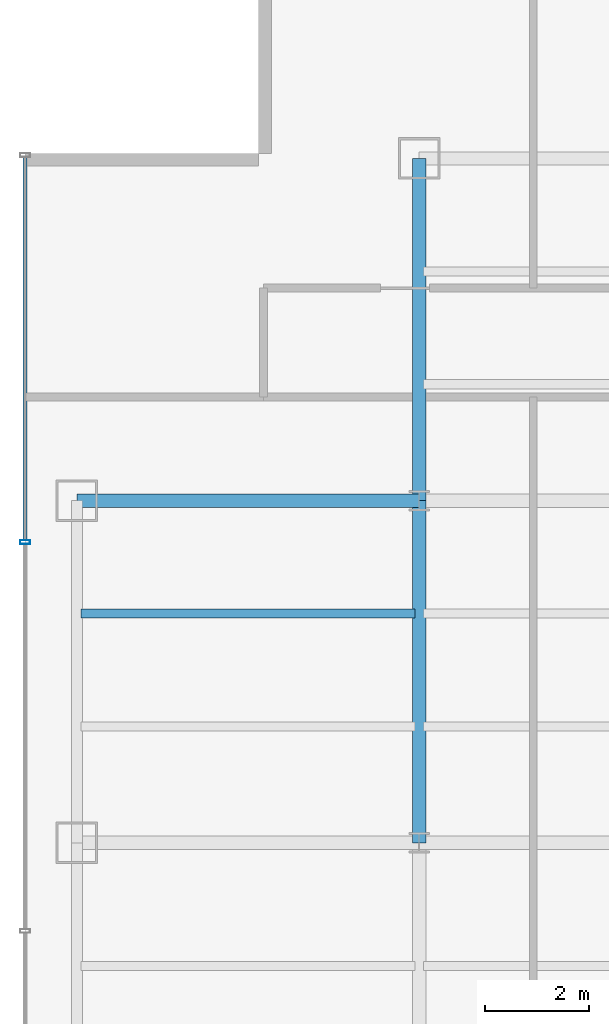
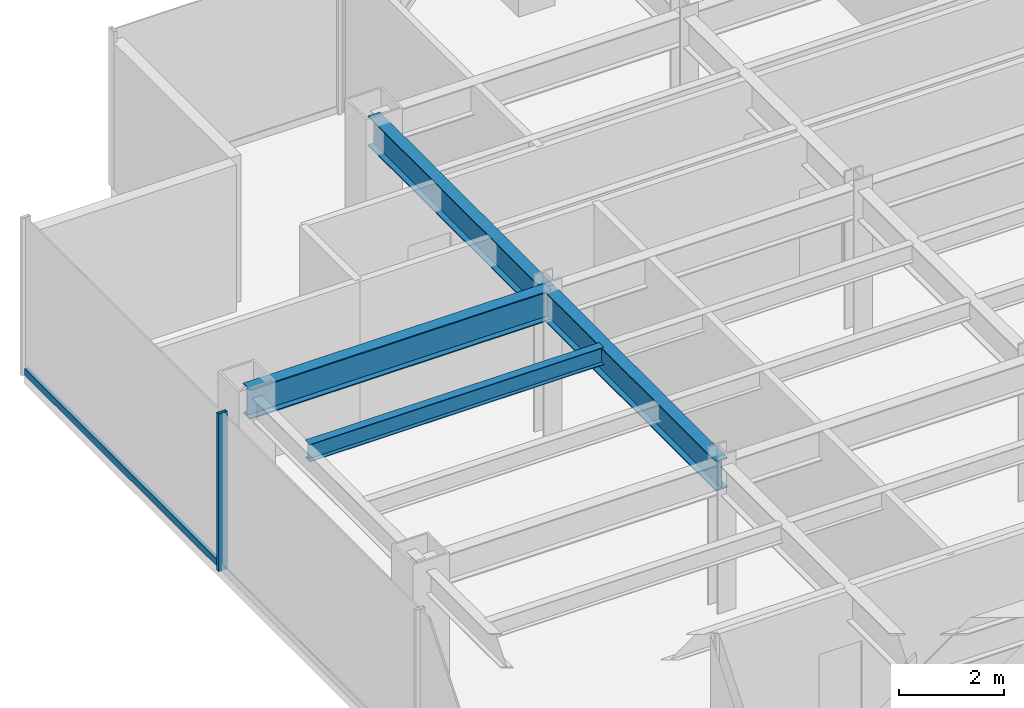
# One storey, part 6 of 26: 4 beams, 2 members, 1 element without a shape of its own.
"""IFC4 building model written with IfcOpenShell, lengths in metres."""

import ifcopenshell
import ifcopenshell.guid

model = None  # the IFC model being written
_history = None  # IfcOwnerHistory: only IFC2X3 demands one
_inside = {}  # id of a spatial element -> (the spatial element, [elements in it])
_under = {}  # id of a project, library or spatial element -> (it, [spatial elements below it])
_declared = {}  # id of a project -> (the project, [libraries it declares])
_typed = {}  # id of a type object -> (the type object, [elements of that type])
_made_of = {}  # id of a material, layer set ... -> (it, [elements and type objects made of it])


def new_model(schema):
    """Start an empty IFC model of exactly this schema.

    Asked for "IFC4X3", IfcOpenShell would pick the latest addendum, in which some entities
    have other attributes; the version numbers below select the first issue.
    IFC2X3 requires an IfcOwnerHistory on every rooted entity: one is made here for all.
    """
    global model, _history
    if schema == "IFC4X3":
        model = ifcopenshell.file(schema_version=(4, 3, 0, 0))
    else:
        model = ifcopenshell.file(schema=schema)
    _inside.clear()
    _under.clear()
    _declared.clear()
    _typed.clear()
    _made_of.clear()
    _history = None
    if model.schema == "IFC2X3":
        org = make("IfcOrganization", Name="unknown")
        user = make(
            "IfcPersonAndOrganization",
            ThePerson=make("IfcPerson", FamilyName="unknown"),
            TheOrganization=org,
        )
        app = make(
            "IfcApplication",
            ApplicationDeveloper=org,
            Version="unknown",
            ApplicationFullName="unknown",
            ApplicationIdentifier="unknown",
        )
        _history = make(
            "IfcOwnerHistory",
            OwningUser=user,
            OwningApplication=app,
            ChangeAction="ADDED",
            CreationDate=0,
        )
    return model


def make(cls, **values):
    """One entity of the class cls with the attributes given. An attribute that is None is left unset."""
    return model.create_entity(
        cls, **{name: value for name, value in values.items() if value is not None}
    )


def rooted(cls, **values):
    """An entity with a GlobalId (a new one), such as an element, a storey or a relation."""
    return make(cls, GlobalId=ifcopenshell.guid.new(), OwnerHistory=_history, **values)


def si_unit(unit_type, name, prefix=None):
    """IfcSIUnit, for example si_unit("LENGTHUNIT", "METRE", prefix="MILLI")."""
    return make("IfcSIUnit", UnitType=unit_type, Prefix=prefix, Name=name)


def derived_unit(unit_type, elements):
    """IfcDerivedUnit: a product of units, each with its exponent."""
    return make(
        "IfcDerivedUnit",
        Elements=[
            make("IfcDerivedUnitElement", Unit=unit, Exponent=power)
            for unit, power in elements
        ],
        UnitType=unit_type,
    )


def assignment(units):
    """IfcUnitAssignment: the units of a project."""
    return None if units is None else make("IfcUnitAssignment", Units=units)


def point(xyz):
    """IfcCartesianPoint."""
    return None if xyz is None else make("IfcCartesianPoint", Coordinates=xyz)


def direction(xyz):
    """IfcDirection."""
    return None if xyz is None else make("IfcDirection", DirectionRatios=xyz)


def frame(location, z_axis=None, x_axis=None):
    """IfcAxis2Placement3D, a coordinate frame: its origin and axes. An axis left out is left unset."""
    return make(
        "IfcAxis2Placement3D",
        Location=point(location),
        Axis=direction(z_axis),
        RefDirection=direction(x_axis),
    )


def frame_2d(location, x_axis=None):
    """IfcAxis2Placement2D, a coordinate frame in the plane: its origin and x axis."""
    return make(
        "IfcAxis2Placement2D", Location=point(location), RefDirection=direction(x_axis)
    )


def origin():
    """The frame at (0, 0, 0) with its axes left unset."""
    return frame((0.0, 0.0, 0.0))


def origin_2d():
    """The frame at (0, 0) in the plane with its x axis left unset."""
    return frame_2d((0.0, 0.0))


def place(relative_to, where):
    """IfcLocalPlacement: puts the frame where relative to a parent placement (None: the world)."""
    return make(
        "IfcLocalPlacement", PlacementRelTo=relative_to, RelativePlacement=where
    )


def context(
    kind, dimensions, precision=None, world=None, true_north=None, identifier=None
):
    """IfcGeometricRepresentationContext, for example the 3D "Model" context."""
    return make(
        "IfcGeometricRepresentationContext",
        ContextIdentifier=identifier,
        ContextType=kind,
        CoordinateSpaceDimension=dimensions,
        Precision=precision,
        WorldCoordinateSystem=world,
        TrueNorth=true_north,
    )


def subcontext(parent, identifier, kind, view, scale=None):
    """IfcGeometricRepresentationSubContext, for example "Body" below "Model"."""
    return make(
        "IfcGeometricRepresentationSubContext",
        ContextIdentifier=identifier,
        ContextType=kind,
        ParentContext=parent,
        TargetScale=scale,
        TargetView=view,
    )


def project(units=None, contexts=None):
    """IfcProject with its units and contexts."""
    return rooted(
        "IfcProject",
        Name="project",
        RepresentationContexts=contexts,
        UnitsInContext=assignment(units),
    )


def spatial(cls, under=None, at=None, **own):
    """A site, building, storey or space (cls), placed at a placement, below another one or the project."""
    s = rooted(cls, ObjectPlacement=at, **own)
    if under is not None:
        _under.setdefault(under.id(), (under, []))[1].append(s)
    return s


def profile(cls, at=None, kind="AREA", **sizes):
    """A parametric profile (cls). Its sizes go by their IFC names, for example OverallWidth=200.0."""
    return make(cls, ProfileType=kind, Position=at, **sizes)


def hollow_rectangle(**sizes):
    """IfcRectangleHollowProfileDef."""
    return profile("IfcRectangleHollowProfileDef", **sizes)


def i_section(**sizes):
    """IfcIShapeProfileDef."""
    return profile("IfcIShapeProfileDef", **sizes)


def extrude(swept, where, along, depth):
    """IfcExtrudedAreaSolid: the profile swept, set in the frame where, extruded along a direction by depth."""
    return make(
        "IfcExtrudedAreaSolid",
        SweptArea=swept,
        Position=where,
        ExtrudedDirection=direction(along),
        Depth=depth,
    )


def shape(context_of_items, identifier, shape_type, items):
    """IfcShapeRepresentation: the items that make up one representation, for example the "Body"."""
    return make(
        "IfcShapeRepresentation",
        ContextOfItems=context_of_items,
        RepresentationIdentifier=identifier,
        RepresentationType=shape_type,
        Items=items,
    )


def source(mapping_origin, context_of_items, identifier, shape_type, items):
    """IfcRepresentationMap: a shape defined once, which mapped items show again and again."""
    return make(
        "IfcRepresentationMap",
        MappingOrigin=mapping_origin,
        MappedRepresentation=shape(context_of_items, identifier, shape_type, items),
    )


def transform(
    local_origin,
    x_axis=None,
    y_axis=None,
    z_axis=None,
    scale=None,
    scale2=None,
    scale3=None,
    uniform=True,
):
    """IfcCartesianTransformationOperator3D, or its non-uniform kind. x_axis, y_axis, z_axis: its Axis1, 2, 3."""
    if uniform:
        return make(
            "IfcCartesianTransformationOperator3D",
            Axis1=direction(x_axis),
            Axis2=direction(y_axis),
            LocalOrigin=point(local_origin),
            Scale=scale,
            Axis3=direction(z_axis),
        )
    return make(
        "IfcCartesianTransformationOperator3DnonUniform",
        Axis1=direction(x_axis),
        Axis2=direction(y_axis),
        LocalOrigin=point(local_origin),
        Scale=scale,
        Axis3=direction(z_axis),
        Scale2=scale2,
        Scale3=scale3,
    )


def mapped(mapping_source, mapping_target):
    """IfcMappedItem: shows the shape of a source again, moved by a transform."""
    return make(
        "IfcMappedItem", MappingSource=mapping_source, MappingTarget=mapping_target
    )


def material(Name=None, Category=None):
    """IfcMaterial."""
    return make("IfcMaterial", Name=Name, Category=Category)


def material_profile(
    of_material, cross_section, Name=None, Category=None, Priority=None
):
    """IfcMaterialProfile: a cross section and its material."""
    return make(
        "IfcMaterialProfile",
        Name=Name,
        Material=of_material,
        Profile=cross_section,
        Priority=Priority,
        Category=Category,
    )


def profile_set(profiles, Name=None, composite=None):
    """IfcMaterialProfileSet."""
    return make(
        "IfcMaterialProfileSet",
        Name=Name,
        MaterialProfiles=profiles,
        CompositeProfile=composite,
    )


def made_of(thing, what):
    """Note that an element or type object is made of a material, layer set ...; save() writes the relation."""
    if what is not None:
        _made_of.setdefault(what.id(), (what, []))[1].append(thing)
    return thing


def type_object(cls, material=None, **own):
    """A type object (cls), such as IfcWallType, which elements share."""
    return made_of(rooted(cls, **own), material)


def element(
    cls,
    number,
    at=None,
    inside=None,
    cuts=None,
    type_object=None,
    material=None,
    context=None,
    identifier="Body",
    shape_type=None,
    held_by="IfcProductDefinitionShape",
    body=None,
    shapes=None,
    **own,
):
    """One element of the class cls, such as IfcWall. Its Tag is "e" and its number.

    at: its placement. inside: the storey or other place that contains it. cuts: it is an
    opening in that element (IfcRelVoidsElement). A single representation is given by context,
    identifier, shape_type and body (its items); several are given by shapes. held_by: the class
    of the entity that holds the representations. save() writes the other relations.
    """
    e = rooted(cls, Tag="e%d" % number, ObjectPlacement=at, **own)
    if body is not None:
        shapes = [shape(context, identifier, shape_type, body)]
    if shapes is not None:
        e.Representation = make(held_by, Representations=shapes)
    if inside is not None:
        _inside.setdefault(inside.id(), (inside, []))[1].append(e)
    if cuts is not None:
        rooted(
            "IfcRelVoidsElement", RelatingBuildingElement=cuts, RelatedOpeningElement=e
        )
    if type_object is not None:
        _typed.setdefault(type_object.id(), (type_object, []))[1].append(e)
    return made_of(e, material)


def aggregate(whole, parts):
    """IfcRelAggregates: a whole, such as a stair, and the parts it consists of."""
    return rooted("IfcRelAggregates", RelatingObject=whole, RelatedObjects=parts)


def save(model, path):
    """Write the relations noted so far, then the file.

    IfcRelAggregates (storeys below a building ...), IfcRelContainedInSpatialStructure (elements
    in a storey), IfcRelDefinesByType, IfcRelAssociatesMaterial and IfcRelDeclares: one each for
    every whole, place, type object, material and project.
    """
    for whole, parts in _under.values():
        aggregate(whole, parts)
    for where, things in _inside.values():
        rooted(
            "IfcRelContainedInSpatialStructure",
            RelatedElements=things,
            RelatingStructure=where,
        )
    for kind, things in _typed.values():
        rooted("IfcRelDefinesByType", RelatedObjects=things, RelatingType=kind)
    for what, things in _made_of.values():
        rooted("IfcRelAssociatesMaterial", RelatedObjects=things, RelatingMaterial=what)
    for by, libraries in _declared.values():
        rooted("IfcRelDeclares", RelatingContext=by, RelatedDefinitions=libraries)
    model.write(path)


model = new_model("IFC4")

# Units and contexts
model_context = context("Model", 3, precision=1e-05, world=origin(), true_north=direction((0.0, 1.0)))
body_context = subcontext(model_context, "Body", "Model", "MODEL_VIEW")
ifc_project = project(units=[si_unit("LENGTHUNIT", "METRE"), si_unit("AREAUNIT", "SQUARE_METRE"), si_unit("VOLUMEUNIT", "CUBIC_METRE"), si_unit("PLANEANGLEUNIT", "RADIAN"), si_unit("MASSUNIT", "GRAM", prefix="KILO"), derived_unit("THERMALTRANSMITTANCEUNIT", [(si_unit("POWERUNIT", "WATT"), 1), (si_unit("LENGTHUNIT", "METRE"), -2), (si_unit("THERMODYNAMICTEMPERATUREUNIT", "KELVIN"), -1)])], contexts=[model_context])

# Site, building, storey
site_placement = place(None, origin())
site = spatial("IfcSite", under=ifc_project, at=site_placement, CompositionType="ELEMENT")
building_placement = place(site_placement, origin())
building = spatial("IfcBuilding", under=site, at=building_placement, Name="Skarnbrae Concourse Arena and Tower", CompositionType="ELEMENT")
storey_placement = place(building_placement, frame((0.0, 0.0, 121.5)))
storey = spatial("IfcBuildingStorey", under=building, at=storey_placement, Name="L30", CompositionType="ELEMENT", Elevation=121.5)

# Beams
ifc_material_1 = material(Name="Steel CSA G40.21 350W", Category="steel")
ifc_material_profile_1 = material_profile(ifc_material_1, i_section(OverallWidth=0.256103515625, OverallDepth=0.693115234375, WebThickness=0.014404296875, FlangeThickness=0.023681640625, at=origin_2d()), Name="W690X170")
ifc_profile_set_1 = profile_set([ifc_material_profile_1], Name="Steel CSA G40.21 350W")
beam_type_1 = type_object("IfcBeamType", Name="BM-GIRD-W690X170", PredefinedType="BEAM", material=ifc_profile_set_1)
shared_shape_1 = source(origin(), body_context, "Body", "SweptSolid", [
    extrude(i_section(OverallWidth=0.256103515625, OverallDepth=0.693115234375, WebThickness=0.014404296875, FlangeThickness=0.023681640625, at=origin_2d()), origin(), (0.0, 0.0, 1.0), 6.60009765625),
])
for number, where, z_axis, x_axis, name in (
    (1, (1.0, 27.800048828125, 3.053466796875), (1.0, 0.0, 0.0), (0.0, 1.0, 0.0), "L30 Primary E-W girder Y27.8-1"),
    (2, (7.60009765625, 21.199951171875, 3.053466796875), (0.0, 1.0, 0.0), (-1.0, 0.0, 0.0), "L30 Primary N-S girder X7.6-2"),
):
    element("IfcBeam", number, at=place(storey_placement, frame(where, z_axis=z_axis, x_axis=x_axis)), inside=storey, type_object=beam_type_1, Name=name, PredefinedType="BEAM", context=body_context, shape_type="MappedRepresentation", body=[
        mapped(shared_shape_1, transform((0.0, 0.0, 0.0))),
    ])
shared_shape_2 = source(origin(), body_context, "Body", "SweptSolid", [
    extrude(i_section(OverallWidth=0.256103515625, OverallDepth=0.693115234375, WebThickness=0.014404296875, FlangeThickness=0.023681640625, at=origin_2d()), origin(), (0.0, 0.0, 1.0), 6.599853515625),
])
beam_1_placement = place(storey_placement, frame((7.60009765625, 27.800048828125, 3.053466796875), z_axis=(0.0, 1.0, 0.0), x_axis=(-1.0, 0.0, 0.0)))
element("IfcBeam", 3, at=beam_1_placement, inside=storey, type_object=beam_type_1, Name="L30 Primary N-S girder X7.6-3", PredefinedType="BEAM", context=body_context, shape_type="MappedRepresentation", body=[
    mapped(shared_shape_2, transform((0.0, 0.0, 0.0))),
])
ifc_material_profile_2 = material_profile(ifc_material_1, i_section(OverallWidth=0.177978515625, OverallDepth=0.406982421875, WebThickness=0.0078125, FlangeThickness=0.0126953125, at=origin_2d()), Name="W410X60")
ifc_profile_set_2 = profile_set([ifc_material_profile_2], Name="Steel CSA G40.21 350W")
beam_type_2 = type_object("IfcBeamType", Name="BM-JOIST-W410X60", PredefinedType="JOIST", material=ifc_profile_set_2)
shared_shape_3 = source(origin(), body_context, "Body", "SweptSolid", [
    extrude(i_section(OverallWidth=0.177978515625, OverallDepth=0.406982421875, WebThickness=0.0078125, FlangeThickness=0.0126953125, at=origin_2d()), origin(), (0.0, 0.0, 1.0), 6.43994140625),
])
beam_2_placement = place(storey_placement, frame((1.080078125, 25.6220703125, 3.196533203125), z_axis=(1.0, 0.0, 0.0), x_axis=(0.0, 1.0, 0.0)))
element("IfcBeam", 4, at=beam_2_placement, inside=storey, type_object=beam_type_2, Name="L30 Secondary floor joist 2.2.1", PredefinedType="JOIST", context=body_context, shape_type="MappedRepresentation", body=[
    mapped(shared_shape_3, transform((0.0, 0.0, 0.0))),
])

# Curtain wall, members
ifc_material_2 = material(Name="Bronze anodised aluminium 6063-T6", Category="aluminium")
curtain_wall_type = type_object("IfcCurtainWallType", Name="CW-SYS-04-MIDZONE", PredefinedType="USERDEFINED", material=ifc_material_2)
curtain_wall_placement = place(storey_placement, origin())
curtain_wall = element("IfcCurtainWall", 5, at=curtain_wall_placement, inside=storey, type_object=curtain_wall_type, Name="L30 Unitised curtain wall CW-L30-E19", ObjectType="UNITISED CURTAIN WALL", PredefinedType="USERDEFINED")
ifc_material_profile_3 = material_profile(ifc_material_2, hollow_rectangle(XDim=0.074951171875, YDim=0.159912109375, WallThickness=0.00439453125, at=origin_2d()), Name="ALU-TRAN-75X160")
ifc_profile_set_3 = profile_set([ifc_material_profile_3], Name="Bronze anodised aluminium 6063-T6")
member_type_1 = type_object("IfcMemberType", Name="CWT-CW-04", PredefinedType="USERDEFINED", material=ifc_profile_set_3)
shared_shape_4 = source(origin(), body_context, "Body", "SweptSolid", [
    extrude(hollow_rectangle(XDim=0.074951171875, YDim=0.159912109375, WallThickness=0.00439453125, at=origin_2d()), origin(), (0.0, 0.0, 1.0), 7.387451171875),
])
member_1_placement = place(storey_placement, frame((0.0, 34.425048828125, 0.080078125), z_axis=(0.0, -1.0, 0.0), x_axis=(1.0, 0.0, 0.0)))
member_1 = element("IfcMember", 6, at=member_1_placement, type_object=member_type_1, Name="CW-L30-E19 Transom 1", ObjectType="TRANSOM", PredefinedType="USERDEFINED", context=body_context, shape_type="MappedRepresentation", body=[
    mapped(shared_shape_4, transform((0.0, 0.0, 0.0))),
])
ifc_material_profile_4 = material_profile(ifc_material_2, hollow_rectangle(XDim=0.074951171875, YDim=0.195068359375, WallThickness=0.00439453125, at=origin_2d()), Name="ALU-MULL-75X195")
ifc_profile_set_4 = profile_set([ifc_material_profile_4], Name="Bronze anodised aluminium 6063-T6")
member_type_2 = type_object("IfcMemberType", Name="CWM-CW-04", PredefinedType="MULLION", material=ifc_profile_set_4)
shared_shape_5 = source(origin(), body_context, "Body", "SweptSolid", [
    extrude(hollow_rectangle(XDim=0.074951171875, YDim=0.195068359375, WallThickness=0.00439453125, at=origin_2d()), origin(), (0.0, 0.0, 1.0), 3.64990234375),
])
member_2_placement = place(storey_placement, frame((0.0, 27.0, 0.0), z_axis=(0.0, 0.0, 1.0), x_axis=(0.0, -1.0, 0.0)))
member_2 = element("IfcMember", 7, at=member_2_placement, type_object=member_type_2, Name="CW-L30-E19 Mullion 2", PredefinedType="MULLION", context=body_context, shape_type="MappedRepresentation", body=[
    mapped(shared_shape_5, transform((0.0, 0.0, 0.0))),
])
aggregate(curtain_wall, [member_2, member_1])

save(model, "model.ifc")
